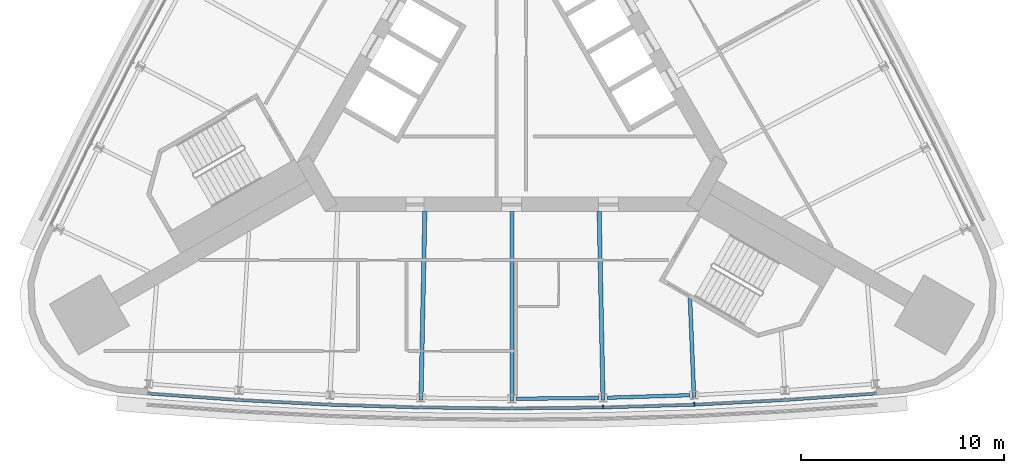
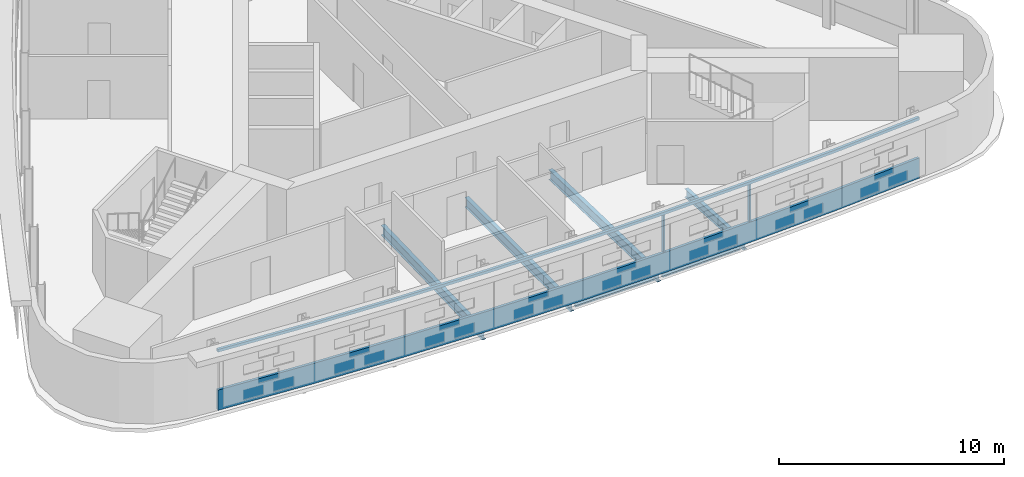
# One storey, part 3 of 13: 6 beams, 4 members, 1 element without a shape of its own.
"""IFC4 building model written with IfcOpenShell, lengths in metres."""

import ifcopenshell
import ifcopenshell.guid

model = None  # the IFC model being written
_history = None  # IfcOwnerHistory: only IFC2X3 demands one
_inside = {}  # id of a spatial element -> (the spatial element, [elements in it])
_under = {}  # id of a project, library or spatial element -> (it, [spatial elements below it])
_declared = {}  # id of a project -> (the project, [libraries it declares])
_typed = {}  # id of a type object -> (the type object, [elements of that type])
_made_of = {}  # id of a material, layer set ... -> (it, [elements and type objects made of it])


def new_model(schema):
    """Start an empty IFC model of exactly this schema.

    Asked for "IFC4X3", IfcOpenShell would pick the latest addendum, in which some entities
    have other attributes; the version numbers below select the first issue.
    IFC2X3 requires an IfcOwnerHistory on every rooted entity: one is made here for all.
    """
    global model, _history
    if schema == "IFC4X3":
        model = ifcopenshell.file(schema_version=(4, 3, 0, 0))
    else:
        model = ifcopenshell.file(schema=schema)
    _inside.clear()
    _under.clear()
    _declared.clear()
    _typed.clear()
    _made_of.clear()
    _history = None
    if model.schema == "IFC2X3":
        org = make("IfcOrganization", Name="unknown")
        user = make(
            "IfcPersonAndOrganization",
            ThePerson=make("IfcPerson", FamilyName="unknown"),
            TheOrganization=org,
        )
        app = make(
            "IfcApplication",
            ApplicationDeveloper=org,
            Version="unknown",
            ApplicationFullName="unknown",
            ApplicationIdentifier="unknown",
        )
        _history = make(
            "IfcOwnerHistory",
            OwningUser=user,
            OwningApplication=app,
            ChangeAction="ADDED",
            CreationDate=0,
        )
    return model


def make(cls, **values):
    """One entity of the class cls with the attributes given. An attribute that is None is left unset."""
    return model.create_entity(
        cls, **{name: value for name, value in values.items() if value is not None}
    )


def rooted(cls, **values):
    """An entity with a GlobalId (a new one), such as an element, a storey or a relation."""
    return make(cls, GlobalId=ifcopenshell.guid.new(), OwnerHistory=_history, **values)


def si_unit(unit_type, name, prefix=None):
    """IfcSIUnit, for example si_unit("LENGTHUNIT", "METRE", prefix="MILLI")."""
    return make("IfcSIUnit", UnitType=unit_type, Prefix=prefix, Name=name)


def assignment(units):
    """IfcUnitAssignment: the units of a project."""
    return None if units is None else make("IfcUnitAssignment", Units=units)


def point(xyz):
    """IfcCartesianPoint."""
    return None if xyz is None else make("IfcCartesianPoint", Coordinates=xyz)


def direction(xyz):
    """IfcDirection."""
    return None if xyz is None else make("IfcDirection", DirectionRatios=xyz)


def frame(location, z_axis=None, x_axis=None):
    """IfcAxis2Placement3D, a coordinate frame: its origin and axes. An axis left out is left unset."""
    return make(
        "IfcAxis2Placement3D",
        Location=point(location),
        Axis=direction(z_axis),
        RefDirection=direction(x_axis),
    )


def frame_2d(location, x_axis=None):
    """IfcAxis2Placement2D, a coordinate frame in the plane: its origin and x axis."""
    return make(
        "IfcAxis2Placement2D", Location=point(location), RefDirection=direction(x_axis)
    )


def origin():
    """The frame at (0, 0, 0) with its axes left unset."""
    return frame((0.0, 0.0, 0.0))


def origin_2d():
    """The frame at (0, 0) in the plane with its x axis left unset."""
    return frame_2d((0.0, 0.0))


def place(relative_to, where):
    """IfcLocalPlacement: puts the frame where relative to a parent placement (None: the world)."""
    return make(
        "IfcLocalPlacement", PlacementRelTo=relative_to, RelativePlacement=where
    )


def context(
    kind, dimensions, precision=None, world=None, true_north=None, identifier=None
):
    """IfcGeometricRepresentationContext, for example the 3D "Model" context."""
    return make(
        "IfcGeometricRepresentationContext",
        ContextIdentifier=identifier,
        ContextType=kind,
        CoordinateSpaceDimension=dimensions,
        Precision=precision,
        WorldCoordinateSystem=world,
        TrueNorth=true_north,
    )


def subcontext(parent, identifier, kind, view, scale=None):
    """IfcGeometricRepresentationSubContext, for example "Body" below "Model"."""
    return make(
        "IfcGeometricRepresentationSubContext",
        ContextIdentifier=identifier,
        ContextType=kind,
        ParentContext=parent,
        TargetScale=scale,
        TargetView=view,
    )


def project(units=None, contexts=None):
    """IfcProject with its units and contexts."""
    return rooted(
        "IfcProject",
        Name="project",
        RepresentationContexts=contexts,
        UnitsInContext=assignment(units),
    )


def spatial(cls, under=None, at=None, **own):
    """A site, building, storey or space (cls), placed at a placement, below another one or the project."""
    s = rooted(cls, ObjectPlacement=at, **own)
    if under is not None:
        _under.setdefault(under.id(), (under, []))[1].append(s)
    return s


def polyline(points):
    """IfcPolyline through the points."""
    return make("IfcPolyline", Points=[point(p) for p in points])


def profile(cls, at=None, kind="AREA", **sizes):
    """A parametric profile (cls). Its sizes go by their IFC names, for example OverallWidth=200.0."""
    return make(cls, ProfileType=kind, Position=at, **sizes)


def rectangle(**sizes):
    """IfcRectangleProfileDef."""
    return profile("IfcRectangleProfileDef", **sizes)


def i_section(**sizes):
    """IfcIShapeProfileDef."""
    return profile("IfcIShapeProfileDef", **sizes)


def outline(outer, holes=None, kind="AREA"):
    """IfcArbitraryClosedProfileDef: a profile drawn as a closed curve; with holes, ...WithVoids."""
    if holes is None:
        return make("IfcArbitraryClosedProfileDef", ProfileType=kind, OuterCurve=outer)
    return make(
        "IfcArbitraryProfileDefWithVoids",
        ProfileType=kind,
        OuterCurve=outer,
        InnerCurves=holes,
    )


def extrude(swept, where, along, depth):
    """IfcExtrudedAreaSolid: the profile swept, set in the frame where, extruded along a direction by depth."""
    return make(
        "IfcExtrudedAreaSolid",
        SweptArea=swept,
        Position=where,
        ExtrudedDirection=direction(along),
        Depth=depth,
    )


def shape(context_of_items, identifier, shape_type, items):
    """IfcShapeRepresentation: the items that make up one representation, for example the "Body"."""
    return make(
        "IfcShapeRepresentation",
        ContextOfItems=context_of_items,
        RepresentationIdentifier=identifier,
        RepresentationType=shape_type,
        Items=items,
    )


def material(Name=None, Category=None):
    """IfcMaterial."""
    return make("IfcMaterial", Name=Name, Category=Category)


def material_profile(
    of_material, cross_section, Name=None, Category=None, Priority=None
):
    """IfcMaterialProfile: a cross section and its material."""
    return make(
        "IfcMaterialProfile",
        Name=Name,
        Material=of_material,
        Profile=cross_section,
        Priority=Priority,
        Category=Category,
    )


def profile_set(profiles, Name=None, composite=None):
    """IfcMaterialProfileSet."""
    return make(
        "IfcMaterialProfileSet",
        Name=Name,
        MaterialProfiles=profiles,
        CompositeProfile=composite,
    )


def made_of(thing, what):
    """Note that an element or type object is made of a material, layer set ...; save() writes the relation."""
    if what is not None:
        _made_of.setdefault(what.id(), (what, []))[1].append(thing)
    return thing


def type_object(cls, material=None, **own):
    """A type object (cls), such as IfcWallType, which elements share."""
    return made_of(rooted(cls, **own), material)


def element(
    cls,
    number,
    at=None,
    inside=None,
    cuts=None,
    type_object=None,
    material=None,
    context=None,
    identifier="Body",
    shape_type=None,
    held_by="IfcProductDefinitionShape",
    body=None,
    shapes=None,
    **own,
):
    """One element of the class cls, such as IfcWall. Its Tag is "e" and its number.

    at: its placement. inside: the storey or other place that contains it. cuts: it is an
    opening in that element (IfcRelVoidsElement). A single representation is given by context,
    identifier, shape_type and body (its items); several are given by shapes. held_by: the class
    of the entity that holds the representations. save() writes the other relations.
    """
    e = rooted(cls, Tag="e%d" % number, ObjectPlacement=at, **own)
    if body is not None:
        shapes = [shape(context, identifier, shape_type, body)]
    if shapes is not None:
        e.Representation = make(held_by, Representations=shapes)
    if inside is not None:
        _inside.setdefault(inside.id(), (inside, []))[1].append(e)
    if cuts is not None:
        rooted(
            "IfcRelVoidsElement", RelatingBuildingElement=cuts, RelatedOpeningElement=e
        )
    if type_object is not None:
        _typed.setdefault(type_object.id(), (type_object, []))[1].append(e)
    return made_of(e, material)


def aggregate(whole, parts):
    """IfcRelAggregates: a whole, such as a stair, and the parts it consists of."""
    return rooted("IfcRelAggregates", RelatingObject=whole, RelatedObjects=parts)


def save(model, path):
    """Write the relations noted so far, then the file.

    IfcRelAggregates (storeys below a building ...), IfcRelContainedInSpatialStructure (elements
    in a storey), IfcRelDefinesByType, IfcRelAssociatesMaterial and IfcRelDeclares: one each for
    every whole, place, type object, material and project.
    """
    for whole, parts in _under.values():
        aggregate(whole, parts)
    for where, things in _inside.values():
        rooted(
            "IfcRelContainedInSpatialStructure",
            RelatedElements=things,
            RelatingStructure=where,
        )
    for kind, things in _typed.values():
        rooted("IfcRelDefinesByType", RelatedObjects=things, RelatingType=kind)
    for what, things in _made_of.values():
        rooted("IfcRelAssociatesMaterial", RelatedObjects=things, RelatingMaterial=what)
    for by, libraries in _declared.values():
        rooted("IfcRelDeclares", RelatingContext=by, RelatedDefinitions=libraries)
    model.write(path)


model = new_model("IFC4")

# Units and contexts
model_context = context("Model", 3, precision=1e-05, world=origin(), true_north=direction((0.0, 1.0)))
body_context = subcontext(model_context, "Body", "Model", "MODEL_VIEW")
ifc_project = project(units=[si_unit("LENGTHUNIT", "METRE"), si_unit("AREAUNIT", "SQUARE_METRE"), si_unit("VOLUMEUNIT", "CUBIC_METRE"), si_unit("PLANEANGLEUNIT", "RADIAN"), si_unit("MASSUNIT", "GRAM", prefix="KILO")], contexts=[model_context])

# Site, building, storey
site_placement = place(None, origin())
site = spatial("IfcSite", under=ifc_project, at=site_placement, CompositionType="ELEMENT")
building_placement = place(site_placement, origin())
building = spatial("IfcBuilding", under=site, at=building_placement, Name="Noor Cloister Tower", CompositionType="ELEMENT")
storey_placement = place(building_placement, frame((0.0, 0.0, 140.10009765625)))
storey = spatial("IfcBuildingStorey", under=building, at=storey_placement, Name="L35", CompositionType="ELEMENT", Elevation=140.10009765625)

# Curtain wall, members
ifc_material_1 = material(Name="Aluminium 6063-T6 anodised", Category="aluminium")
curtain_wall_type = type_object("IfcCurtainWallType", Name="Ribbon curtain wall, upper tower CW5", PredefinedType="NOTDEFINED", material=ifc_material_1)
curtain_wall_placement = place(storey_placement, origin())
curtain_wall = element("IfcCurtainWall", 1, at=curtain_wall_placement, inside=storey, type_object=curtain_wall_type, Name="CW5 L35 S run 2", PredefinedType="NOTDEFINED")
ifc_material_2 = material(Name="Aluminium 6063-T6 anodised", Category="aluminium")
member_type_1 = type_object("IfcMemberType", Name="Head transom CW5 150", PredefinedType="USERDEFINED", material=ifc_material_2)
member_1_placement = place(storey_placement, frame((0.0, 0.0, 3.14990234375)))
member_1 = element("IfcMember", 2, at=member_1_placement, type_object=member_type_1, Name="CW5 head transom", ObjectType="TRANSOM", PredefinedType="USERDEFINED", context=body_context, shape_type="SweptSolid", body=[
    extrude(outline(polyline([(-17.979736328125, -15.98486328125), (-13.491455078125, -16.307373046875), (-8.99755859375, -16.5380859375), (-4.499755859375, -16.67626953125), (0.0, -16.722412109375), (4.499755859375, -16.67626953125), (8.99755859375, -16.5380859375), (13.491455078125, -16.307373046875), (17.979736328125, -15.98486328125), (17.9697265625, -15.84521484375), (13.48291015625, -16.167724609375), (8.99169921875, -16.398193359375), (4.496826171875, -16.536376953125), (0.0, -16.58251953125), (-4.496826171875, -16.536376953125), (-8.99169921875, -16.398193359375), (-13.48291015625, -16.167724609375), (-17.9697265625, -15.84521484375), (-17.979736328125, -15.98486328125)])), origin(), (0.0, 0.0, 1.0), 0.14990234375),
])
ifc_material_3 = material(Name="Aluminium 6063-T6 anodised", Category="aluminium")
ifc_material_profile_1 = material_profile(ifc_material_3, rectangle(XDim=0.179931640625, YDim=0.070068359375, at=origin_2d()), Name="180 x 70 mullion")
ifc_profile_set_1 = profile_set([ifc_material_profile_1], Name="Aluminium 6063-T6 anodised")
member_type_2 = type_object("IfcMemberType", Name="Mullion CW5 70 x 180", PredefinedType="MULLION", material=ifc_profile_set_1)
member_2_placement = place(storey_placement, frame((4.49755859375, -16.576416015625, 1.099853515625), z_axis=(0.0, 0.0, 1.0), x_axis=(-0.020501958477, 0.99978981276, 0.0)))
member_2 = element("IfcMember", 3, at=member_2_placement, type_object=member_type_2, Name="CW5 mullion 6", PredefinedType="MULLION", context=body_context, shape_type="SweptSolid", body=[
    extrude(rectangle(XDim=0.179931640625, YDim=0.070068359375, at=origin_2d()), origin(), (0.0, 0.0, 1.0), 2.050048828125),
])
member_3_placement = place(storey_placement, frame((8.993408203125, -16.43798828125, 1.099853515625), z_axis=(0.0, 0.0, 1.0), x_axis=(-0.040995281015, 0.999159340113, 0.0)))
member_3 = element("IfcMember", 4, at=member_3_placement, type_object=member_type_2, Name="CW5 mullion 7", PredefinedType="MULLION", context=body_context, shape_type="SweptSolid", body=[
    extrude(rectangle(XDim=0.179931640625, YDim=0.070068359375, at=origin_2d()), origin(), (0.0, 0.0, 1.0), 2.050048828125),
])

# Beams
ifc_material_4 = material(Name="Steel ASTM A992 Gr 50", Category="steel")
ifc_material_profile_2 = material_profile(ifc_material_4, i_section(OverallWidth=0.19091796875, OverallDepth=0.45703125, WebThickness=0.009033203125, FlangeThickness=0.014404296875, FilletRadius=0.01025390625, at=origin_2d()), Name="W460x74")
ifc_profile_set_2 = profile_set([ifc_material_profile_2], Name="Steel ASTM A992 Gr 50")
beam_type_1 = type_object("IfcBeamType", Name="Radial beam W460x74", PredefinedType="BEAM", material=ifc_profile_set_2)
beam_1_placement = place(storey_placement, frame((8.979248046875, -16.095458984375, -0.4287109375), z_axis=(-0.040961128267, 0.999160740808, 0.0), x_axis=(-0.999160740808, -0.040961128267, 0.0)))
element("IfcBeam", 5, at=beam_1_placement, inside=storey, type_object=beam_type_1, Name="Radial beam S 07 L35", PredefinedType="BEAM", context=body_context, shape_type="SweptSolid", body=[
    extrude(i_section(OverallWidth=0.19091796875, OverallDepth=0.45703125, WebThickness=0.009033203125, FlangeThickness=0.014404296875, FilletRadius=0.01025390625, at=origin_2d()), origin(), (0.0, 0.0, 1.0), 4.86962890625),
])
ifc_material_5 = material(Name="Steel ASTM A992 Gr 50", Category="steel")
ifc_material_profile_3 = material_profile(ifc_material_5, i_section(OverallWidth=0.208984375, OverallDepth=0.532958984375, WebThickness=0.01025390625, FlangeThickness=0.015625, FilletRadius=0.0126953125, at=origin_2d()), Name="W530x92")
ifc_profile_set_3 = profile_set([ifc_material_profile_3], Name="Steel ASTM A992 Gr 50")
beam_type_2 = type_object("IfcBeamType", Name="Radial beam W530x92", PredefinedType="BEAM", material=ifc_profile_set_3)
beam_2_placement = place(storey_placement, frame((-4.49072265625, -16.2333984375, -0.466552734375), z_axis=(0.020513078009, 0.999789584678, 0.0), x_axis=(-0.999789584678, 0.020513078009, 0.0)))
element("IfcBeam", 6, at=beam_2_placement, inside=storey, type_object=beam_type_2, Name="Radial beam S 04 L35", PredefinedType="BEAM", context=body_context, shape_type="SweptSolid", body=[
    extrude(i_section(OverallWidth=0.208984375, OverallDepth=0.532958984375, WebThickness=0.01025390625, FlangeThickness=0.015625, FilletRadius=0.0126953125, at=origin_2d()), origin(), (0.0, 0.0, 1.0), 9.30712890625),
])
beam_3_placement = place(storey_placement, frame((0.0, -16.279541015625, -0.466552734375), z_axis=(0.0, 1.0, 0.0), x_axis=(-1.0, 0.0, 0.0)))
element("IfcBeam", 7, at=beam_3_placement, inside=storey, type_object=beam_type_2, Name="Radial beam S 05 L35", PredefinedType="BEAM", context=body_context, shape_type="SweptSolid", body=[
    extrude(i_section(OverallWidth=0.208984375, OverallDepth=0.532958984375, WebThickness=0.01025390625, FlangeThickness=0.015625, FilletRadius=0.0126953125, at=origin_2d()), origin(), (0.0, 0.0, 1.0), 9.351318359375),
])
beam_4_placement = place(storey_placement, frame((4.49072265625, -16.2333984375, -0.466552734375), z_axis=(-0.020513078009, 0.999789584678, 0.0), x_axis=(-0.999789584678, -0.020513078009, 0.0)))
element("IfcBeam", 8, at=beam_4_placement, inside=storey, type_object=beam_type_2, Name="Radial beam S 06 L35", PredefinedType="BEAM", context=body_context, shape_type="SweptSolid", body=[
    extrude(i_section(OverallWidth=0.208984375, OverallDepth=0.532958984375, WebThickness=0.01025390625, FlangeThickness=0.015625, FilletRadius=0.0126953125, at=origin_2d()), origin(), (0.0, 0.0, 1.0), 9.30712890625),
])

# Member
ifc_material_6 = material(Name="Aluminium 6063-T6 anodised", Category="aluminium")
member_type_3 = type_object("IfcMemberType", Name="Sill transom CW5 1100", PredefinedType="USERDEFINED", material=ifc_material_6)
member_4_placement = place(storey_placement, origin())
member_4 = element("IfcMember", 9, at=member_4_placement, type_object=member_type_3, Name="CW5 sill transom", ObjectType="TRANSOM", PredefinedType="USERDEFINED", context=body_context, shape_type="SweptSolid", body=[
    extrude(outline(polyline([(-17.979736328125, -15.98486328125), (-13.491455078125, -16.307373046875), (-8.99755859375, -16.5380859375), (-4.499755859375, -16.67626953125), (0.0, -16.722412109375), (4.499755859375, -16.67626953125), (8.99755859375, -16.5380859375), (13.491455078125, -16.307373046875), (17.979736328125, -15.98486328125), (17.9697265625, -15.84521484375), (13.48291015625, -16.167724609375), (8.99169921875, -16.398193359375), (4.496826171875, -16.536376953125), (0.0, -16.58251953125), (-4.496826171875, -16.536376953125), (-8.99169921875, -16.398193359375), (-13.48291015625, -16.167724609375), (-17.9697265625, -15.84521484375), (-17.979736328125, -15.98486328125)])), origin(), (0.0, 0.0, 1.0), 1.099853515625),
])

aggregate(curtain_wall, [member_2, member_3, member_4, member_1])

# Beams
ifc_material_7 = material(Name="Steel ASTM A992 Gr 50", Category="steel")
ifc_material_profile_4 = material_profile(ifc_material_7, i_section(OverallWidth=0.177978515625, OverallDepth=0.406005859375, WebThickness=0.0078125, FlangeThickness=0.0126953125, FilletRadius=0.01025390625, at=origin_2d()), Name="W410x60")
ifc_profile_set_4 = profile_set([ifc_material_profile_4], Name="Steel ASTM A992 Gr 50")
beam_type_3 = type_object("IfcBeamType", Name="Spandrel beam W410x60", PredefinedType="SPANDREL", material=ifc_profile_set_4)
beam_5_placement = place(storey_placement, frame((0.199462890625, -16.17041015625, -0.403076171875), z_axis=(0.99994789269, 0.010208423263, 0.0), x_axis=(-0.010208423263, 0.99994789269, 0.0)))
element("IfcBeam", 10, at=beam_5_placement, inside=storey, type_object=beam_type_3, Name="Spandrel beam S 05 L35", PredefinedType="SPANDREL", context=body_context, shape_type="SweptSolid", body=[
    extrude(i_section(OverallWidth=0.177978515625, OverallDepth=0.406005859375, WebThickness=0.0078125, FlangeThickness=0.0126953125, FilletRadius=0.01025390625, at=origin_2d()), origin(), (0.0, 0.0, 1.0), 4.089599609375),
])
beam_6_placement = place(storey_placement, frame((4.687744140625, -16.120361328125, -0.403076171875), z_axis=(0.99952733001, 0.030742748146, 0.0), x_axis=(-0.030742748146, 0.99952733001, 0.0)))
element("IfcBeam", 11, at=beam_6_placement, inside=storey, type_object=beam_type_3, Name="Spandrel beam S 06 L35", PredefinedType="SPANDREL", context=body_context, shape_type="SweptSolid", body=[
    extrude(i_section(OverallWidth=0.177978515625, OverallDepth=0.406005859375, WebThickness=0.0078125, FlangeThickness=0.0126953125, FilletRadius=0.01025390625, at=origin_2d()), origin(), (0.0, 0.0, 1.0), 4.08984375),
])

save(model, "model.ifc")
